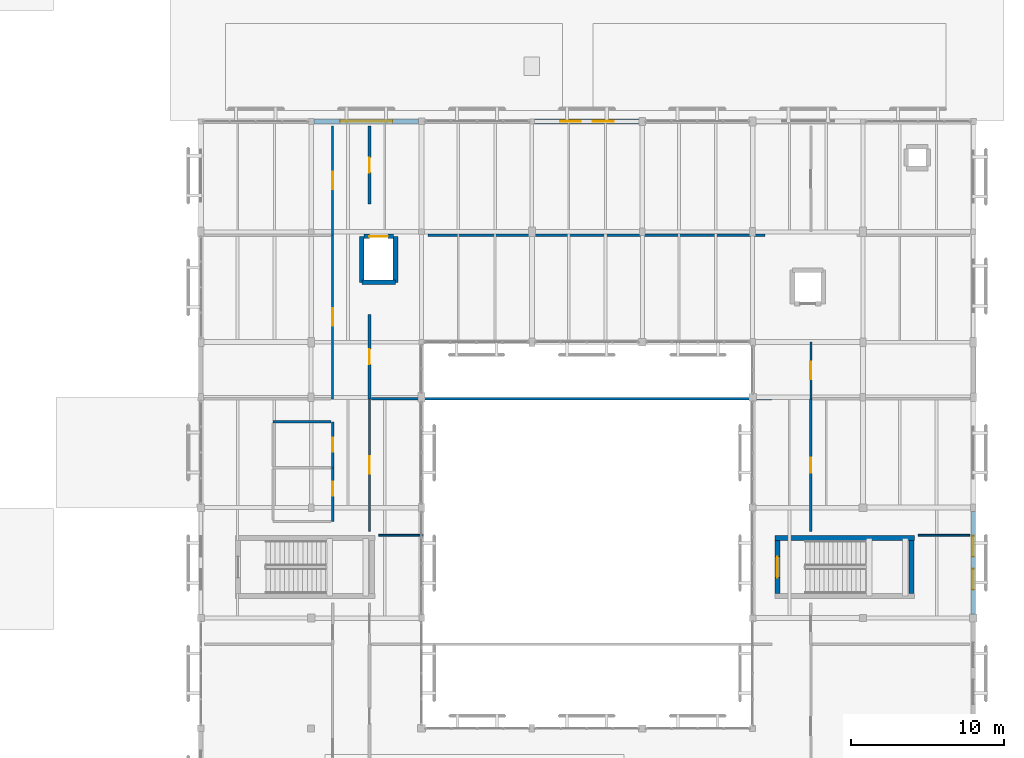
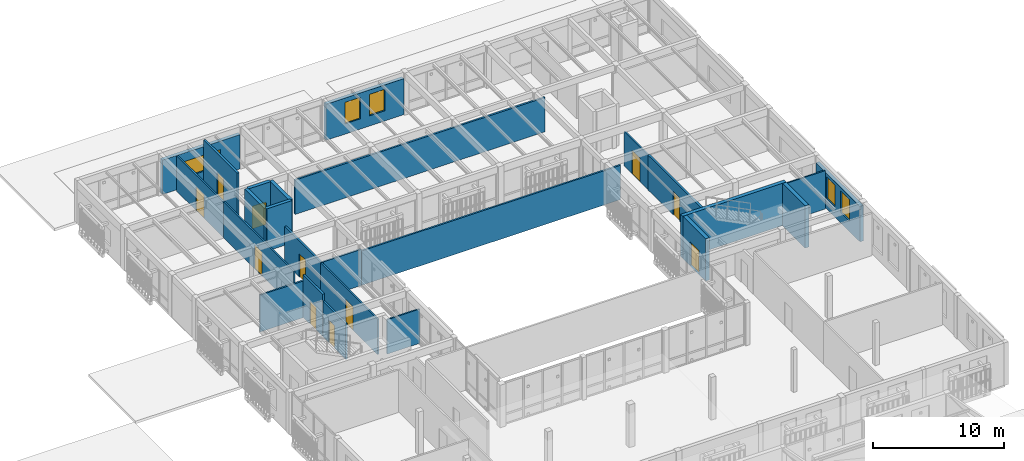
# One storey, part 89 of 112: 25 walls, 11 doors, 5 windows, 16 openings.
"""IFC4 building model written with IfcOpenShell, lengths in metres."""

from ifc_helpers import new_model, si_unit, direction, frame, frame_2d, origin, place, context, subcontext, project, spatial, rectangle, extrude, material, layer, layer_set, type_object, element, fill, save


model = new_model("IFC4")

# Units and contexts
model_context = context("Model", 3, precision=1e-05, world=origin(), true_north=direction((0.0, 1.0)))
body_context = subcontext(model_context, "Body", "Model", "MODEL_VIEW")
ifc_project = project(units=[si_unit("LENGTHUNIT", "METRE"), si_unit("AREAUNIT", "SQUARE_METRE"), si_unit("VOLUMEUNIT", "CUBIC_METRE"), si_unit("PLANEANGLEUNIT", "RADIAN"), si_unit("MASSUNIT", "GRAM", prefix="KILO")], contexts=[model_context])

# Site, building, storey
site_placement = place(None, origin())
site = spatial("IfcSite", under=ifc_project, at=site_placement, CompositionType="ELEMENT")
building_placement = place(site_placement, origin())
building = spatial("IfcBuilding", under=site, at=building_placement, Name="Mazaris Harbour Polytechnic", CompositionType="ELEMENT")
storey_placement = place(building_placement, frame((0.0, 0.0, 13.800048828125)))
storey = spatial("IfcBuildingStorey", under=building, at=storey_placement, Name="L03", CompositionType="ELEMENT", Elevation=13.800048828125)

# Walls
ifc_material_1 = material(Name="Gypsum Board and Mineral Wool")
ifc_layer_1 = layer(ifc_material_1, 0.1201171875, Name="Gypsum Board and Mineral Wool")
ifc_layer_set_1 = layer_set([ifc_layer_1], Name="Gypsum Board and Mineral Wool")
wall_type_1 = type_object("IfcWallType", Name="Acoustic Stud Partition 120", PredefinedType="PARTITIONING", material=ifc_layer_set_1)
wall_1_placement = place(storey_placement, frame((134.0048828125, 73.800048828125, 0.0), z_axis=(0.0, 0.0, 1.0), x_axis=(1.0, 0.0, 0.0)))
element("IfcWall", 1, at=wall_1_placement, inside=storey, type_object=wall_type_1, Name="V5 L03 Partition 645", PredefinedType="PARTITIONING", context=body_context, shape_type="SweptSolid", body=[
    extrude(rectangle(XDim=2.875, YDim=0.1201171875, at=frame_2d((1.4375, 0.0))), origin(), (0.0, 0.0, 1.0), 3.195068359375),
])
wall_2_placement = place(storey_placement, frame((169.205078125, 73.800048828125, 0.0), z_axis=(0.0, 0.0, 1.0), x_axis=(1.0, 0.0, 0.0)))
element("IfcWall", 2, at=wall_2_placement, inside=storey, type_object=wall_type_1, Name="V5 L03 Partition 657", PredefinedType="PARTITIONING", context=body_context, shape_type="SweptSolid", body=[
    extrude(rectangle(XDim=3.344970703125, YDim=0.1201171875, at=frame_2d((1.67236328125, 0.0))), origin(), (0.0, 0.0, 1.0), 3.574951171875),
])
ifc_material_2 = material(Name="Double Gypsum and Mineral Wool")
ifc_layer_2 = layer(ifc_material_2, 0.14990234375, Name="Double Gypsum and Mineral Wool")
ifc_layer_set_2 = layer_set([ifc_layer_2], Name="Double Gypsum and Mineral Wool")
wall_type_2 = type_object("IfcWallType", Name="Classroom Acoustic Partition 150", PredefinedType="PARTITIONING", material=ifc_layer_set_2)
wall_3_placement = place(storey_placement, frame((133.52001953125, 82.699951171875, 0.0), z_axis=(0.0, 0.0, 1.0), x_axis=(1.0, 0.0, 0.0)))
element("IfcWall", 3, at=wall_3_placement, inside=storey, type_object=wall_type_2, Name="V5 L03 Partition 647", PredefinedType="PARTITIONING", context=body_context, shape_type="SweptSolid", body=[
    extrude(rectangle(XDim=3.35986328125, YDim=0.14990234375, at=frame_2d((1.679931640625, 0.0))), origin(), (0.0, 0.0, 1.0), 3.35498046875),
])
wall_4_placement = place(storey_placement, frame((136.885009765625, 82.699951171875, 0.0), z_axis=(0.0, 0.0, 1.0), x_axis=(1.0, 0.0, 0.0)))
element("IfcWall", 4, at=wall_4_placement, inside=storey, type_object=wall_type_2, Name="V5 L03 Partition 649", PredefinedType="PARTITIONING", context=body_context, shape_type="SweptSolid", body=[
    extrude(rectangle(XDim=22.794921875, YDim=0.14990234375, at=frame_2d((11.3974609375, 0.0))), origin(), (0.0, 0.0, 1.0), 3.195068359375),
])

# Wall, opening, door
ifc_material_3 = material(Name="Terracotta Block and Plaster", Category="masonry")
ifc_layer_3 = layer(ifc_material_3, 0.179931640625, Name="Terracotta Block and Plaster")
ifc_layer_set_3 = layer_set([ifc_layer_3], Name="Terracotta Block and Plaster")
wall_type_3 = type_object("IfcWallType", Name="Corridor Fire Partition 180", PredefinedType="PARTITIONING", material=ifc_layer_set_3)
wall_5_placement = place(storey_placement, frame((133.39990234375, 82.705078125, 0.0), z_axis=(0.0, 0.0, 1.0), x_axis=(0.0, 1.0, 0.0)))
wall_5 = element("IfcWall", 5, at=wall_5_placement, inside=storey, type_object=wall_type_3, Name="V5 L03 Partition 648", PredefinedType="PARTITIONING", context=body_context, shape_type="SweptSolid", body=[
    extrude(rectangle(XDim=5.489990234375, YDim=0.179931640625, at=frame_2d((2.7451171875, 0.0))), origin(), (0.0, 0.0, 1.0), 3.35498046875),
])
opening_1_placement = place(wall_5_placement, frame((2.25, 0.0, 0.0)))
opening_1 = element("IfcOpeningElement", 6, at=opening_1_placement, cuts=wall_5, Name="Opening ID-08R", PredefinedType="OPENING", context=body_context, shape_type="SweptSolid", body=[
    extrude(rectangle(XDim=0.989990234375, YDim=2.179931640625, at=frame_2d((0.4951171875, 1.08984375))), frame((0.0, 0.099853515625, 0.0), z_axis=(0.0, -1.0, 0.0), x_axis=(1.0, 0.0, 0.0)), (0.0, 0.0, 1.0), 0.199951171875),
])
ifc_material_4 = material(Name="Solid Oak Timber", Category="wood")
door_type_1 = type_object("IfcDoorType", Name="Seminar Room Door RH 990x2180", OperationType="SINGLE_SWING_RIGHT", PredefinedType="DOOR", material=ifc_material_4)
door_1_placement = place(opening_1_placement, origin())
door_1 = element("IfcDoor", 7, at=door_1_placement, inside=storey, type_object=door_type_1, Name="ID-0315", OperationType="SINGLE_SWING_RIGHT", OverallHeight=2.179931640625, OverallWidth=0.989990234375, PredefinedType="DOOR", context=body_context, shape_type="SweptSolid", body=[
    extrude(rectangle(XDim=0.989990234375, YDim=2.179931640625, at=frame_2d((0.4951171875, 1.08984375))), frame((0.0, 0.02490234375, 0.0), z_axis=(0.0, -1.0, 0.0), x_axis=(1.0, 0.0, 0.0)), (0.0, 0.0, 1.0), 0.050048828125),
])
fill(opening_1, door_1)

wall_6_placement = place(storey_placement, frame((133.39990234375, 95.405029296875, 0.0), z_axis=(0.0, 0.0, 1.0), x_axis=(0.0, 1.0, 0.0)))
wall_6 = element("IfcWall", 8, at=wall_6_placement, inside=storey, type_object=wall_type_3, Name="V5 L03 Partition 651", PredefinedType="PARTITIONING", context=body_context, shape_type="SweptSolid", body=[
    extrude(rectangle(XDim=5.094970703125, YDim=0.179931640625, at=frame_2d((2.54736328125, 0.0))), origin(), (0.0, 0.0, 1.0), 3.93505859375),
])
opening_2_placement = place(wall_6_placement, frame((2.0576171875, 0.0, 0.0)))
opening_2 = element("IfcOpeningElement", 9, at=opening_2_placement, cuts=wall_6, Name="Opening ID-08L", PredefinedType="OPENING", context=body_context, shape_type="SweptSolid", body=[
    extrude(rectangle(XDim=0.97998046875, YDim=2.179931640625, at=frame_2d((0.489990234375, 1.08984375))), frame((0.0, 0.099853515625, 0.0), z_axis=(0.0, -1.0, 0.0), x_axis=(1.0, 0.0, 0.0)), (0.0, 0.0, 1.0), 0.199951171875),
])
ifc_material_5 = material(Name="Solid Oak Timber", Category="wood")
door_type_2 = type_object("IfcDoorType", Name="Seminar Room Door LH 980x2180", OperationType="SINGLE_SWING_LEFT", PredefinedType="DOOR", material=ifc_material_5)
door_2_placement = place(opening_2_placement, origin())
door_2 = element("IfcDoor", 10, at=door_2_placement, inside=storey, type_object=door_type_2, Name="ID-0316", OperationType="SINGLE_SWING_LEFT", OverallHeight=2.179931640625, OverallWidth=0.97998046875, PredefinedType="DOOR", context=body_context, shape_type="SweptSolid", body=[
    extrude(rectangle(XDim=0.97998046875, YDim=2.179931640625, at=frame_2d((0.489990234375, 1.08984375))), frame((0.0, 0.02490234375, 0.0), z_axis=(0.0, -1.0, 0.0), x_axis=(1.0, 0.0, 0.0)), (0.0, 0.0, 1.0), 0.050048828125),
])
fill(opening_2, door_2)

wall_7_placement = place(storey_placement, frame((162.199951171875, 74.054931640625, 0.0), z_axis=(0.0, 0.0, 1.0), x_axis=(0.0, 1.0, 0.0)))
wall_7 = element("IfcWall", 11, at=wall_7_placement, inside=storey, type_object=wall_type_3, Name="V5 L03 Partition 658", PredefinedType="PARTITIONING", context=body_context, shape_type="SweptSolid", body=[
    extrude(rectangle(XDim=8.64501953125, YDim=0.179931640625, at=frame_2d((4.322509765625, 0.0))), origin(), (0.0, 0.0, 1.0), 3.2548828125),
])
opening_3_placement = place(wall_7_placement, frame((3.83251953125, 0.0, 0.0)))
opening_3 = element("IfcOpeningElement", 12, at=opening_3_placement, cuts=wall_7, Name="Opening ID-08L", PredefinedType="OPENING", context=body_context, shape_type="SweptSolid", body=[
    extrude(rectangle(XDim=0.97998046875, YDim=2.179931640625, at=frame_2d((0.489990234375, 1.08984375))), frame((0.0, 0.099853515625, 0.0), z_axis=(0.0, -1.0, 0.0), x_axis=(1.0, 0.0, 0.0)), (0.0, 0.0, 1.0), 0.199951171875),
])
door_3_placement = place(opening_3_placement, origin())
door_3 = element("IfcDoor", 13, at=door_3_placement, inside=storey, type_object=door_type_2, Name="ID-0320", OperationType="SINGLE_SWING_LEFT", OverallHeight=2.179931640625, OverallWidth=0.97998046875, PredefinedType="DOOR", context=body_context, shape_type="SweptSolid", body=[
    extrude(rectangle(XDim=0.97998046875, YDim=2.179931640625, at=frame_2d((0.489990234375, 1.08984375))), frame((0.0, 0.02490234375, 0.0), z_axis=(0.0, -1.0, 0.0), x_axis=(1.0, 0.0, 0.0)), (0.0, 0.0, 1.0), 0.050048828125),
])
fill(opening_3, door_3)

# Wall
ifc_material_6 = material(Name="Fireboard and Mineral Wool")
ifc_layer_4 = layer(ifc_material_6, 0.1650390625, Name="Fireboard and Mineral Wool")
ifc_layer_set_4 = layer_set([ifc_layer_4], Name="Fireboard and Mineral Wool")
wall_type_4 = type_object("IfcWallType", Name="Laboratory Rated Partition 165", PredefinedType="PARTITIONING", material=ifc_layer_set_4)
wall_8_placement = place(storey_placement, frame((137.205078125, 93.3798828125, 0.0), z_axis=(0.0, 0.0, 1.0), x_axis=(1.0, 0.0, 0.0)))
element("IfcWall", 14, at=wall_8_placement, inside=storey, type_object=wall_type_4, Name="V5 L03 Partition 650", PredefinedType="PARTITIONING", context=body_context, shape_type="SweptSolid", body=[
    extrude(rectangle(XDim=21.989990234375, YDim=0.1650390625, at=frame_2d((10.9951171875, 0.0))), origin(), (0.0, 0.0, 1.0), 3.195068359375),
])

# Wall, opening, door
ifc_material_7 = material(Name="Moisture-Resistant Blockwork", Category="masonry")
ifc_layer_5 = layer(ifc_material_7, 0.175048828125, Name="Moisture-Resistant Blockwork")
ifc_layer_set_5 = layer_set([ifc_layer_5], Name="Moisture-Resistant Blockwork")
wall_type_5 = type_object("IfcWallType", Name="Laboratory Wet Service Wall 175", PredefinedType="PLUMBINGWALL", material=ifc_layer_set_5)
wall_9_placement = place(storey_placement, frame((131.0, 74.699951171875, 0.0), z_axis=(0.0, 0.0, 1.0), x_axis=(0.0, 1.0, 0.0)))
wall_9 = element("IfcWall", 15, at=wall_9_placement, inside=storey, type_object=wall_type_5, Name="V5 L03 Partition 626", PredefinedType="PLUMBINGWALL", context=body_context, shape_type="SweptSolid", body=[
    extrude(rectangle(XDim=3.5, YDim=0.175048828125, at=frame_2d((1.75, 0.0))), origin(), (0.0, 0.0, 1.0), 3.294921875),
])
opening_4_placement = place(wall_9_placement, frame((1.68994140625, 0.0, 0.0)))
opening_4 = element("IfcOpeningElement", 16, at=opening_4_placement, cuts=wall_9, Name="Opening ID-07R", PredefinedType="OPENING", context=body_context, shape_type="SweptSolid", body=[
    extrude(rectangle(XDim=0.89990234375, YDim=2.10009765625, at=frame_2d((0.449951171875, 1.050048828125))), frame((0.0, 0.097412109375, 0.0), z_axis=(0.0, -1.0, 0.0), x_axis=(1.0, 0.0, 0.0)), (0.0, 0.0, 1.0), 0.195068359375),
])
ifc_material_8 = material(Name="Moisture-Resistant Laminate Timber", Category="wood")
door_type_3 = type_object("IfcDoorType", Name="Sanitary Room Door RH 900x2100", OperationType="SINGLE_SWING_RIGHT", PredefinedType="DOOR", material=ifc_material_8)
door_4_placement = place(opening_4_placement, origin())
door_4 = element("IfcDoor", 17, at=door_4_placement, inside=storey, type_object=door_type_3, Name="ID-0305", OperationType="SINGLE_SWING_RIGHT", OverallHeight=2.10009765625, OverallWidth=0.89990234375, PredefinedType="DOOR", context=body_context, shape_type="SweptSolid", body=[
    extrude(rectangle(XDim=0.89990234375, YDim=2.10009765625, at=frame_2d((0.449951171875, 1.050048828125))), frame((0.0, 0.02490234375, 0.0), z_axis=(0.0, -1.0, 0.0), x_axis=(1.0, 0.0, 0.0)), (0.0, 0.0, 1.0), 0.050048828125),
])
fill(opening_4, door_4)

wall_10_placement = place(storey_placement, frame((131.0, 78.205078125, 0.0), z_axis=(0.0, 0.0, 1.0), x_axis=(0.0, 1.0, 0.0)))
wall_10 = element("IfcWall", 18, at=wall_10_placement, inside=storey, type_object=wall_type_5, Name="V5 L03 Partition 630", PredefinedType="PLUMBINGWALL", context=body_context, shape_type="SweptSolid", body=[
    extrude(rectangle(XDim=2.994873046875, YDim=0.175048828125, at=frame_2d((1.49755859375, 0.0))), origin(), (0.0, 0.0, 1.0), 3.93505859375),
])
opening_5_placement = place(wall_10_placement, frame((1.03759765625, 0.0, 0.0)))
opening_5 = element("IfcOpeningElement", 19, at=opening_5_placement, cuts=wall_10, Name="Opening ID-07L", PredefinedType="OPENING", context=body_context, shape_type="SweptSolid", body=[
    extrude(rectangle(XDim=0.919921875, YDim=2.10009765625, at=frame_2d((0.4599609375, 1.050048828125))), frame((0.0, 0.097412109375, 0.0), z_axis=(0.0, -1.0, 0.0), x_axis=(1.0, 0.0, 0.0)), (0.0, 0.0, 1.0), 0.195068359375),
])
ifc_material_9 = material(Name="Moisture-Resistant Laminate Timber", Category="wood")
door_type_4 = type_object("IfcDoorType", Name="Accessible Toilet Door LH 920x2100", OperationType="SINGLE_SWING_LEFT", PredefinedType="DOOR", material=ifc_material_9)
door_5_placement = place(opening_5_placement, origin())
door_5 = element("IfcDoor", 20, at=door_5_placement, inside=storey, type_object=door_type_4, Name="ID-0306", OperationType="SINGLE_SWING_LEFT", OverallHeight=2.10009765625, OverallWidth=0.919921875, PredefinedType="DOOR", context=body_context, shape_type="SweptSolid", body=[
    extrude(rectangle(XDim=0.919921875, YDim=2.10009765625, at=frame_2d((0.4599609375, 1.050048828125))), frame((0.0, 0.02490234375, 0.0), z_axis=(0.0, -1.0, 0.0), x_axis=(1.0, 0.0, 0.0)), (0.0, 0.0, 1.0), 0.050048828125),
])
fill(opening_5, door_5)

# Wall, opening, window
ifc_material_10 = material(Name="Algerian Buff Limestone and Mineral Wool", Category="masonry")
ifc_layer_6 = layer(ifc_material_10, 0.31005859375, Name="Algerian Buff Limestone and Mineral Wool")
ifc_layer_set_6 = layer_set([ifc_layer_6], Name="Algerian Buff Limestone and Mineral Wool")
wall_type_6 = type_object("IfcWallType", Name="Limestone Studio Wall 310", PredefinedType="STANDARD", material=ifc_layer_set_6)
wall_11_placement = place(storey_placement, frame((129.781982421875, 100.800048828125, 0.0), z_axis=(0.0, 0.0, 1.0), x_axis=(1.0, 0.0, 0.0)))
wall_11 = element("IfcWall", 21, at=wall_11_placement, inside=storey, type_object=wall_type_6, Name="V5 L03 Exterior Wall 361", PredefinedType="STANDARD", context=body_context, shape_type="SweptSolid", body=[
    extrude(rectangle(XDim=6.81591796875, YDim=0.31005859375, at=frame_2d((3.407958984375, 0.0))), origin(), (0.0, 0.0, 1.0), 3.195068359375),
])
opening_6_placement = place(wall_11_placement, frame((1.7080078125, 0.0, 0.89990234375)))
opening_6 = element("IfcOpeningElement", 22, at=opening_6_placement, cuts=wall_11, Name="Opening WN-16", PredefinedType="OPENING", context=body_context, shape_type="SweptSolid", body=[
    extrude(rectangle(XDim=3.39990234375, YDim=1.5, at=frame_2d((1.699951171875, 0.75))), frame((0.0, 0.1650390625, 0.0), z_axis=(0.0, -1.0, 0.0), x_axis=(1.0, 0.0, 0.0)), (0.0, 0.0, 1.0), 0.330078125),
])
ifc_material_11 = material(Name="Thermally Broken Bronze Aluminium and Low-E Glass", Category="aluminium")
window_type_1 = type_object("IfcWindowType", Name="Workshop Clerestory Ribbon 3400x1500", PartitioningType="DOUBLE_PANEL_VERTICAL", PredefinedType="WINDOW", material=ifc_material_11)
window_1_placement = place(opening_6_placement, origin())
window_1 = element("IfcWindow", 23, at=window_1_placement, inside=storey, type_object=window_type_1, Name="WN-0418", OverallHeight=1.5, OverallWidth=3.39990234375, PartitioningType="DOUBLE_PANEL_VERTICAL", PredefinedType="WINDOW", context=body_context, shape_type="SweptSolid", body=[
    extrude(rectangle(XDim=3.39990234375, YDim=1.5, at=frame_2d((1.699951171875, 0.75))), frame((0.0, 0.030029296875, 0.0), z_axis=(0.0, -1.0, 0.0), x_axis=(1.0, 0.0, 0.0)), (0.0, 0.0, 1.0), 0.06005859375),
])
fill(opening_6, window_1)

# Wall, openings, windows
wall_12_placement = place(storey_placement, frame((144.162109375, 100.800048828125, 0.0), z_axis=(0.0, 0.0, 1.0), x_axis=(1.0, 0.0, 0.0)))
wall_12 = element("IfcWall", 24, at=wall_12_placement, inside=storey, type_object=wall_type_6, Name="V5 L03 Exterior Wall 362", PredefinedType="STANDARD", context=body_context, shape_type="SweptSolid", body=[
    extrude(rectangle(XDim=6.845947265625, YDim=0.31005859375, at=frame_2d((3.4228515625, 0.0))), origin(), (0.0, 0.0, 1.0), 3.35498046875),
])
opening_7_placement = place(wall_12_placement, frame((1.673095703125, 0.0, 0.949951171875)))
opening_7 = element("IfcOpeningElement", 25, at=opening_7_placement, cuts=wall_12, Name="Opening WN-30", PredefinedType="OPENING", context=body_context, shape_type="SweptSolid", body=[
    extrude(rectangle(XDim=1.35009765625, YDim=2.0, at=frame_2d((0.675048828125, 1.0))), frame((0.0, 0.1650390625, 0.0), z_axis=(0.0, -1.0, 0.0), x_axis=(1.0, 0.0, 0.0)), (0.0, 0.0, 1.0), 0.330078125),
])
opening_8_placement = place(wall_12_placement, frame((3.822998046875, 0.0, 0.949951171875)))
opening_8 = element("IfcOpeningElement", 26, at=opening_8_placement, cuts=wall_12, Name="Opening WN-30", PredefinedType="OPENING", context=body_context, shape_type="SweptSolid", body=[
    extrude(rectangle(XDim=1.35009765625, YDim=2.0, at=frame_2d((0.675048828125, 1.0))), frame((0.0, 0.1650390625, 0.0), z_axis=(0.0, -1.0, 0.0), x_axis=(1.0, 0.0, 0.0)), (0.0, 0.0, 1.0), 0.330078125),
])
ifc_material_12 = material(Name="Thermally Broken Bronze Aluminium and Low-E Glass", Category="aluminium")
window_type_2 = type_object("IfcWindowType", Name="Pavilion Side Window 1350x2000", PartitioningType="DOUBLE_PANEL_VERTICAL", PredefinedType="WINDOW", material=ifc_material_12)
window_2_placement = place(opening_7_placement, origin())
window_2 = element("IfcWindow", 27, at=window_2_placement, inside=storey, type_object=window_type_2, Name="WN-0419", OverallHeight=2.0, OverallWidth=1.35009765625, PartitioningType="DOUBLE_PANEL_VERTICAL", PredefinedType="WINDOW", context=body_context, shape_type="SweptSolid", body=[
    extrude(rectangle(XDim=1.35009765625, YDim=2.0, at=frame_2d((0.675048828125, 1.0))), frame((0.0, 0.030029296875, 0.0), z_axis=(0.0, -1.0, 0.0), x_axis=(1.0, 0.0, 0.0)), (0.0, 0.0, 1.0), 0.06005859375),
])
fill(opening_7, window_2)
window_3_placement = place(opening_8_placement, origin())
window_3 = element("IfcWindow", 28, at=window_3_placement, inside=storey, type_object=window_type_2, Name="WN-0420", OverallHeight=2.0, OverallWidth=1.35009765625, PartitioningType="DOUBLE_PANEL_VERTICAL", PredefinedType="WINDOW", context=body_context, shape_type="SweptSolid", body=[
    extrude(rectangle(XDim=1.35009765625, YDim=2.0, at=frame_2d((0.675048828125, 1.0))), frame((0.0, 0.030029296875, 0.0), z_axis=(0.0, -1.0, 0.0), x_axis=(1.0, 0.0, 0.0)), (0.0, 0.0, 1.0), 0.06005859375),
])
fill(opening_8, window_3)

wall_13_placement = place(storey_placement, frame((172.800048828125, 75.367919921875, 0.0), z_axis=(0.0, 0.0, 1.0), x_axis=(0.0, -1.0, 0.0)))
wall_13 = element("IfcWall", 29, at=wall_13_placement, inside=storey, type_object=wall_type_6, Name="V5 L03 Exterior Wall 371", PredefinedType="STANDARD", context=body_context, shape_type="SweptSolid", body=[
    extrude(rectangle(XDim=6.725830078125, YDim=0.31005859375, at=frame_2d((3.36279296875, 0.0))), origin(), (0.0, 0.0, 1.0), 3.294921875),
])
opening_9_placement = place(wall_13_placement, frame((1.613037109375, 0.0, 0.949951171875)))
opening_9 = element("IfcOpeningElement", 30, at=opening_9_placement, cuts=wall_13, Name="Opening WN-30", PredefinedType="OPENING", context=body_context, shape_type="SweptSolid", body=[
    extrude(rectangle(XDim=1.35009765625, YDim=2.0, at=frame_2d((0.675048828125, 1.0))), frame((0.0, 0.1650390625, 0.0), z_axis=(0.0, -1.0, 0.0), x_axis=(1.0, 0.0, 0.0)), (0.0, 0.0, 1.0), 0.330078125),
])
opening_10_placement = place(wall_13_placement, frame((3.762939453125, 0.0, 0.949951171875)))
opening_10 = element("IfcOpeningElement", 31, at=opening_10_placement, cuts=wall_13, Name="Opening WN-30", PredefinedType="OPENING", context=body_context, shape_type="SweptSolid", body=[
    extrude(rectangle(XDim=1.35009765625, YDim=2.0, at=frame_2d((0.675048828125, 1.0))), frame((0.0, 0.1650390625, 0.0), z_axis=(0.0, -1.0, 0.0), x_axis=(1.0, 0.0, 0.0)), (0.0, 0.0, 1.0), 0.330078125),
])
window_4_placement = place(opening_9_placement, origin())
window_4 = element("IfcWindow", 32, at=window_4_placement, inside=storey, type_object=window_type_2, Name="WN-0433", OverallHeight=2.0, OverallWidth=1.35009765625, PartitioningType="DOUBLE_PANEL_VERTICAL", PredefinedType="WINDOW", context=body_context, shape_type="SweptSolid", body=[
    extrude(rectangle(XDim=1.35009765625, YDim=2.0, at=frame_2d((0.675048828125, 1.0))), frame((0.0, 0.030029296875, 0.0), z_axis=(0.0, -1.0, 0.0), x_axis=(1.0, 0.0, 0.0)), (0.0, 0.0, 1.0), 0.06005859375),
])
fill(opening_9, window_4)
window_5_placement = place(opening_10_placement, origin())
window_5 = element("IfcWindow", 33, at=window_5_placement, inside=storey, type_object=window_type_2, Name="WN-0434", OverallHeight=2.0, OverallWidth=1.35009765625, PartitioningType="DOUBLE_PANEL_VERTICAL", PredefinedType="WINDOW", context=body_context, shape_type="SweptSolid", body=[
    extrude(rectangle(XDim=1.35009765625, YDim=2.0, at=frame_2d((0.675048828125, 1.0))), frame((0.0, 0.030029296875, 0.0), z_axis=(0.0, -1.0, 0.0), x_axis=(1.0, 0.0, 0.0)), (0.0, 0.0, 1.0), 0.06005859375),
])
fill(opening_10, window_5)

# Walls
ifc_material_13 = material(Name="Concrete C40/50", Category="concrete")
ifc_layer_7 = layer(ifc_material_13, 0.324951171875, Name="Concrete C40/50")
ifc_layer_set_7 = layer_set([ifc_layer_7], Name="Concrete C40/50")
wall_type_7 = type_object("IfcWallType", Name="RC Core Shear Wall 325", PredefinedType="SHEAR", material=ifc_layer_set_7)
wall_14_placement = place(storey_placement, frame((168.949951171875, 73.625, 0.0), z_axis=(0.0, 0.0, 1.0), x_axis=(-1.0, 0.0, 0.0)))
element("IfcWall", 34, at=wall_14_placement, inside=storey, type_object=wall_type_7, Name="Core ST10 L03 Shear Wall N", PredefinedType="SHEAR", context=body_context, shape_type="SweptSolid", body=[
    extrude(rectangle(XDim=9.099853515625, YDim=0.324951171875, at=frame_2d((4.5498046875, 0.0))), origin(), (0.0, 0.0, 1.0), 3.93505859375),
])
wall_15_placement = place(storey_placement, frame((168.77490234375, 70.0, 0.0), z_axis=(0.0, 0.0, 1.0), x_axis=(0.0, 1.0, 0.0)))
element("IfcWall", 35, at=wall_15_placement, inside=storey, type_object=wall_type_7, Name="Core ST10 L03 Shear Wall E", PredefinedType="SHEAR", context=body_context, shape_type="SweptSolid", body=[
    extrude(rectangle(XDim=3.449951171875, YDim=0.324951171875, at=frame_2d((1.72509765625, 0.0))), origin(), (0.0, 0.0, 1.0), 3.93505859375),
])

# Wall, opening, door
wall_16_placement = place(storey_placement, frame((160.02490234375, 73.449951171875, 0.0), z_axis=(0.0, 0.0, 1.0), x_axis=(0.0, -1.0, 0.0)))
wall_16 = element("IfcWall", 36, at=wall_16_placement, inside=storey, type_object=wall_type_7, Name="Core ST10 L03 Entrance Shear Wall", PredefinedType="SHEAR", context=body_context, shape_type="SweptSolid", body=[
    extrude(rectangle(XDim=3.449951171875, YDim=0.324951171875, at=frame_2d((1.72509765625, 0.0))), origin(), (0.0, 0.0, 1.0), 3.93505859375),
])
opening_11_placement = place(wall_16_placement, frame((1.034912109375, 0.0, 0.0)))
opening_11 = element("IfcOpeningElement", 37, at=opening_11_placement, cuts=wall_16, Name="Opening SD-01", PredefinedType="OPENING", context=body_context, shape_type="SweptSolid", body=[
    extrude(rectangle(XDim=1.3798828125, YDim=2.199951171875, at=frame_2d((0.68994140625, 1.10009765625))), frame((0.0, 0.17236328125, 0.0), z_axis=(0.0, -1.0, 0.0), x_axis=(1.0, 0.0, 0.0)), (0.0, 0.0, 1.0), 0.344970703125),
])
ifc_material_14 = material(Name="Glulam Timber and Fire Glass", Category="wood")
door_type_5 = type_object("IfcDoorType", Name="Protected Stair Lobby Fire Door 1380x2200", OperationType="DOUBLE_DOOR_SINGLE_SWING", PredefinedType="DOOR", material=ifc_material_14)
door_6_placement = place(opening_11_placement, origin())
door_6 = element("IfcDoor", 38, at=door_6_placement, inside=storey, type_object=door_type_5, Name="SD-052", OperationType="DOUBLE_DOOR_SINGLE_SWING", OverallHeight=2.199951171875, OverallWidth=1.3798828125, PredefinedType="DOOR", context=body_context, shape_type="SweptSolid", body=[
    extrude(rectangle(XDim=1.3798828125, YDim=2.199951171875, at=frame_2d((0.68994140625, 1.10009765625))), frame((0.0, 0.02490234375, 0.0), z_axis=(0.0, -1.0, 0.0), x_axis=(1.0, 0.0, 0.0)), (0.0, 0.0, 1.0), 0.050048828125),
])
fill(opening_11, door_6)

# Walls
ifc_material_15 = material(Name="Concrete C40/50", Category="concrete")
ifc_layer_8 = layer(ifc_material_15, 0.300048828125, Name="Concrete C40/50")
ifc_layer_set_8 = layer_set([ifc_layer_8], Name="Concrete C40/50")
wall_type_8 = type_object("IfcWallType", Name="RC Lift Shaft Wall 300", PredefinedType="SHEAR", material=ifc_layer_set_8)
wall_17_placement = place(storey_placement, frame((132.89990234375, 90.300048828125, 0.0), z_axis=(0.0, 0.0, 1.0), x_axis=(1.0, 0.0, 0.0)))
element("IfcWall", 39, at=wall_17_placement, inside=storey, type_object=wall_type_8, Name="Lift LF-02 L03 South Shaft Wall", PredefinedType="SHEAR", context=body_context, shape_type="SweptSolid", body=[
    extrude(rectangle(XDim=2.2001953125, YDim=0.300048828125, at=frame_2d((1.10009765625, 0.0))), origin(), (0.0, 0.0, 1.0), 3.93505859375),
])
for number, where, z_axis, x_axis, name in (
    (40, (132.89990234375, 93.300048828125, 0.0), (0.0, 0.0, 1.0), (0.0, -1.0, 0.0), "Lift LF-02 L03 West Shaft Wall"),
    (41, (135.10009765625, 90.300048828125, 0.0), (0.0, 0.0, 1.0), (0.0, 1.0, 0.0), "Lift LF-02 L03 East Shaft Wall"),
):
    element("IfcWall", number, at=place(storey_placement, frame(where, z_axis=z_axis, x_axis=x_axis)), inside=storey, type_object=wall_type_8, Name=name, PredefinedType="SHEAR", context=body_context, shape_type="SweptSolid", body=[
        extrude(rectangle(XDim=3.0, YDim=0.300048828125, at=frame_2d((1.5, 0.0))), origin(), (0.0, 0.0, 1.0), 3.93505859375),
    ])

# Wall, opening, door
wall_18_placement = place(storey_placement, frame((133.0400390625, 93.300048828125, 0.0), z_axis=(0.0, 0.0, 1.0), x_axis=(1.0, 0.0, 0.0)))
wall_18 = element("IfcWall", 42, at=wall_18_placement, inside=storey, type_object=wall_type_8, Name="Lift LF-02 L03 Front Shaft Wall", PredefinedType="SHEAR", context=body_context, shape_type="SweptSolid", body=[
    extrude(rectangle(XDim=1.919921875, YDim=0.300048828125, at=frame_2d((0.9599609375, 0.0))), origin(), (0.0, 0.0, 1.0), 3.93505859375),
])
opening_12_placement = place(wall_18_placement, frame((0.360107421875, 0.0, 0.0)))
opening_12 = element("IfcOpeningElement", 43, at=opening_12_placement, cuts=wall_18, Name="Opening LD-02", PredefinedType="OPENING", context=body_context, shape_type="SweptSolid", body=[
    extrude(rectangle(XDim=1.199951171875, YDim=2.10009765625, at=frame_2d((0.60009765625, 1.050048828125))), frame((0.0, 0.159912109375, 0.0), z_axis=(0.0, -1.0, 0.0), x_axis=(1.0, 0.0, 0.0)), (0.0, 0.0, 1.0), 0.320068359375),
])
ifc_material_16 = material(Name="Stainless Steel S355", Category="steel")
door_type_6 = type_object("IfcDoorType", Name="Sliding Firefighting Lift Landing Door 1200x2100", OperationType="SLIDING_TO_LEFT", PredefinedType="DOOR", material=ifc_material_16)
door_7_placement = place(opening_12_placement, origin())
door_7 = element("IfcDoor", 44, at=door_7_placement, inside=storey, type_object=door_type_6, Name="LD-012", OperationType="SLIDING_TO_LEFT", OverallHeight=2.10009765625, OverallWidth=1.199951171875, PredefinedType="DOOR", context=body_context, shape_type="SweptSolid", body=[
    extrude(rectangle(XDim=1.199951171875, YDim=2.10009765625, at=frame_2d((0.60009765625, 1.050048828125))), frame((0.0, 0.02490234375, 0.0), z_axis=(0.0, -1.0, 0.0), x_axis=(1.0, 0.0, 0.0)), (0.0, 0.0, 1.0), 0.050048828125),
])
fill(opening_12, door_7)

# Wall
ifc_material_17 = material(Name="Moisture-Resistant Gypsum and Steel Stud", Category="steel")
ifc_layer_9 = layer(ifc_material_17, 0.14501953125, Name="Moisture-Resistant Gypsum and Steel Stud")
ifc_layer_set_9 = layer_set([ifc_layer_9], Name="Moisture-Resistant Gypsum and Steel Stud")
wall_type_9 = type_object("IfcWallType", Name="Sanitary Plumbing Wall 145", PredefinedType="PLUMBINGWALL", material=ifc_layer_set_9)
wall_19_placement = place(storey_placement, frame((127.10009765625, 81.199951171875, 0.0), z_axis=(0.0, 0.0, 1.0), x_axis=(1.0, 0.0, 0.0)))
element("IfcWall", 45, at=wall_19_placement, inside=storey, type_object=wall_type_9, Name="V5 L03 Partition 631", PredefinedType="PLUMBINGWALL", context=body_context, shape_type="SweptSolid", body=[
    extrude(rectangle(XDim=3.77978515625, YDim=0.14501953125, at=frame_2d((1.889892578125, 0.0))), origin(), (0.0, 0.0, 1.0), 3.4150390625),
])

# Wall, opening, door
ifc_material_18 = material(Name="Gypsum Board and Mineral Wool")
ifc_layer_10 = layer(ifc_material_18, 0.135009765625, Name="Gypsum Board and Mineral Wool")
ifc_layer_set_10 = layer_set([ifc_layer_10], Name="Gypsum Board and Mineral Wool")
wall_type_10 = type_object("IfcWallType", Name="Studio Partition Wall 135", PredefinedType="PARTITIONING", material=ifc_layer_set_10)
wall_20_placement = place(storey_placement, frame((131.0, 82.699951171875, 0.0), z_axis=(0.0, 0.0, 1.0), x_axis=(0.0, 1.0, 0.0)))
wall_20 = element("IfcWall", 46, at=wall_20_placement, inside=storey, type_object=wall_type_10, Name="V5 L03 Partition 639", PredefinedType="PARTITIONING", context=body_context, shape_type="SweptSolid", body=[
    extrude(rectangle(XDim=10.679931640625, YDim=0.135009765625, at=frame_2d((5.33984375, 0.0))), origin(), (0.0, 0.0, 1.0), 3.35498046875),
])
opening_13_placement = place(wall_20_placement, frame((4.760009765625, 0.0, 0.0)))
opening_13 = element("IfcOpeningElement", 47, at=opening_13_placement, cuts=wall_20, Name="Opening ID-03R", PredefinedType="OPENING", context=body_context, shape_type="SweptSolid", body=[
    extrude(rectangle(XDim=1.159912109375, YDim=2.199951171875, at=frame_2d((0.580078125, 1.10009765625))), frame((0.0, 0.077392578125, 0.0), z_axis=(0.0, -1.0, 0.0), x_axis=(1.0, 0.0, 0.0)), (0.0, 0.0, 1.0), 0.155029296875),
])
ifc_material_19 = material(Name="Glulam Timber and Acoustic Glass", Category="wood")
door_type_7 = type_object("IfcDoorType", Name="Design Studio Door RH 1160x2200", OperationType="SINGLE_SWING_RIGHT", PredefinedType="DOOR", material=ifc_material_19)
door_8_placement = place(opening_13_placement, origin())
door_8 = element("IfcDoor", 48, at=door_8_placement, inside=storey, type_object=door_type_7, Name="ID-0310", OperationType="SINGLE_SWING_RIGHT", OverallHeight=2.199951171875, OverallWidth=1.159912109375, PredefinedType="DOOR", context=body_context, shape_type="SweptSolid", body=[
    extrude(rectangle(XDim=1.159912109375, YDim=2.199951171875, at=frame_2d((0.580078125, 1.10009765625))), frame((0.0, 0.02490234375, 0.0), z_axis=(0.0, -1.0, 0.0), x_axis=(1.0, 0.0, 0.0)), (0.0, 0.0, 1.0), 0.050048828125),
])
fill(opening_13, door_8)

wall_21_placement = place(storey_placement, frame((131.0, 93.385009765625, 0.0), z_axis=(0.0, 0.0, 1.0), x_axis=(0.0, 1.0, 0.0)))
wall_21 = element("IfcWall", 49, at=wall_21_placement, inside=storey, type_object=wall_type_10, Name="V5 L03 Partition 641", PredefinedType="PARTITIONING", context=body_context, shape_type="SweptSolid", body=[
    extrude(rectangle(XDim=7.114990234375, YDim=0.135009765625, at=frame_2d((3.5576171875, 0.0))), origin(), (0.0, 0.0, 1.0), 3.294921875),
])
opening_14_placement = place(wall_21_placement, frame((2.982421875, 0.0, 0.0)))
opening_14 = element("IfcOpeningElement", 50, at=opening_14_placement, cuts=wall_21, Name="Opening ID-03L", PredefinedType="OPENING", context=body_context, shape_type="SweptSolid", body=[
    extrude(rectangle(XDim=1.14990234375, YDim=2.199951171875, at=frame_2d((0.574951171875, 1.10009765625))), frame((0.0, 0.077392578125, 0.0), z_axis=(0.0, -1.0, 0.0), x_axis=(1.0, 0.0, 0.0)), (0.0, 0.0, 1.0), 0.155029296875),
])
ifc_material_20 = material(Name="Glulam Timber and Acoustic Glass", Category="wood")
door_type_8 = type_object("IfcDoorType", Name="Design Studio Door LH 1150x2200", OperationType="SINGLE_SWING_LEFT", PredefinedType="DOOR", material=ifc_material_20)
door_9_placement = place(opening_14_placement, origin())
door_9 = element("IfcDoor", 51, at=door_9_placement, inside=storey, type_object=door_type_8, Name="ID-0311", OperationType="SINGLE_SWING_LEFT", OverallHeight=2.199951171875, OverallWidth=1.14990234375, PredefinedType="DOOR", context=body_context, shape_type="SweptSolid", body=[
    extrude(rectangle(XDim=1.14990234375, YDim=2.199951171875, at=frame_2d((0.574951171875, 1.10009765625))), frame((0.0, 0.02490234375, 0.0), z_axis=(0.0, -1.0, 0.0), x_axis=(1.0, 0.0, 0.0)), (0.0, 0.0, 1.0), 0.050048828125),
])
fill(opening_14, door_9)

wall_22_placement = place(storey_placement, frame((133.39990234375, 74.054931640625, 0.0), z_axis=(0.0, 0.0, 1.0), x_axis=(0.0, 1.0, 0.0)))
wall_22 = element("IfcWall", 52, at=wall_22_placement, inside=storey, type_object=wall_type_10, Name="V5 L03 Partition 646", PredefinedType="PARTITIONING", context=body_context, shape_type="SweptSolid", body=[
    extrude(rectangle(XDim=8.64501953125, YDim=0.135009765625, at=frame_2d((4.322509765625, 0.0))), origin(), (0.0, 0.0, 1.0), 3.294921875),
])
opening_15_placement = place(wall_22_placement, frame((3.74755859375, 0.0, 0.0)))
opening_15 = element("IfcOpeningElement", 53, at=opening_15_placement, cuts=wall_22, Name="Opening ID-03L", PredefinedType="OPENING", context=body_context, shape_type="SweptSolid", body=[
    extrude(rectangle(XDim=1.14990234375, YDim=2.199951171875, at=frame_2d((0.574951171875, 1.10009765625))), frame((0.0, 0.077392578125, 0.0), z_axis=(0.0, -1.0, 0.0), x_axis=(1.0, 0.0, 0.0)), (0.0, 0.0, 1.0), 0.155029296875),
])
door_10_placement = place(opening_15_placement, origin())
door_10 = element("IfcDoor", 54, at=door_10_placement, inside=storey, type_object=door_type_8, Name="ID-0314", OperationType="SINGLE_SWING_LEFT", OverallHeight=2.199951171875, OverallWidth=1.14990234375, PredefinedType="DOOR", context=body_context, shape_type="SweptSolid", body=[
    extrude(rectangle(XDim=1.14990234375, YDim=2.199951171875, at=frame_2d((0.574951171875, 1.10009765625))), frame((0.0, 0.02490234375, 0.0), z_axis=(0.0, -1.0, 0.0), x_axis=(1.0, 0.0, 0.0)), (0.0, 0.0, 1.0), 0.050048828125),
])
fill(opening_15, door_10)

wall_23_placement = place(storey_placement, frame((162.199951171875, 82.705078125, 0.0), z_axis=(0.0, 0.0, 1.0), x_axis=(0.0, 1.0, 0.0)))
wall_23 = element("IfcWall", 55, at=wall_23_placement, inside=storey, type_object=wall_type_10, Name="V5 L03 Partition 660", PredefinedType="PARTITIONING", context=body_context, shape_type="SweptSolid", body=[
    extrude(rectangle(XDim=3.68994140625, YDim=0.135009765625, at=frame_2d((1.844970703125, 0.0))), origin(), (0.0, 0.0, 1.0), 3.195068359375),
])
opening_16_placement = place(wall_23_placement, frame((1.264892578125, 0.0, 0.0)))
opening_16 = element("IfcOpeningElement", 56, at=opening_16_placement, cuts=wall_23, Name="Opening ID-03R", PredefinedType="OPENING", context=body_context, shape_type="SweptSolid", body=[
    extrude(rectangle(XDim=1.159912109375, YDim=2.199951171875, at=frame_2d((0.580078125, 1.10009765625))), frame((0.0, 0.077392578125, 0.0), z_axis=(0.0, -1.0, 0.0), x_axis=(1.0, 0.0, 0.0)), (0.0, 0.0, 1.0), 0.155029296875),
])
door_11_placement = place(opening_16_placement, origin())
door_11 = element("IfcDoor", 57, at=door_11_placement, inside=storey, type_object=door_type_7, Name="ID-0321", OperationType="SINGLE_SWING_RIGHT", OverallHeight=2.199951171875, OverallWidth=1.159912109375, PredefinedType="DOOR", context=body_context, shape_type="SweptSolid", body=[
    extrude(rectangle(XDim=1.159912109375, YDim=2.199951171875, at=frame_2d((0.580078125, 1.10009765625))), frame((0.0, 0.02490234375, 0.0), z_axis=(0.0, -1.0, 0.0), x_axis=(1.0, 0.0, 0.0)), (0.0, 0.0, 1.0), 0.050048828125),
])
fill(opening_16, door_11)

save(model, "model.ifc")
